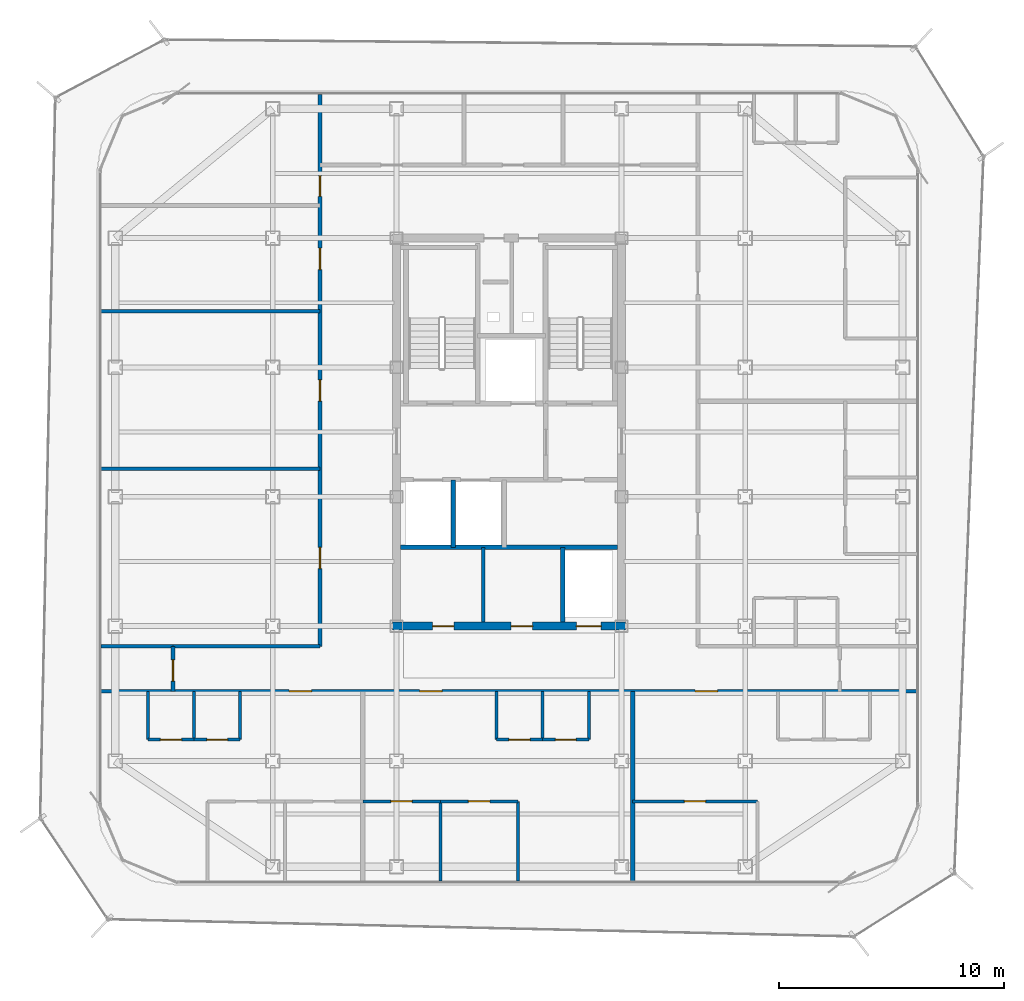
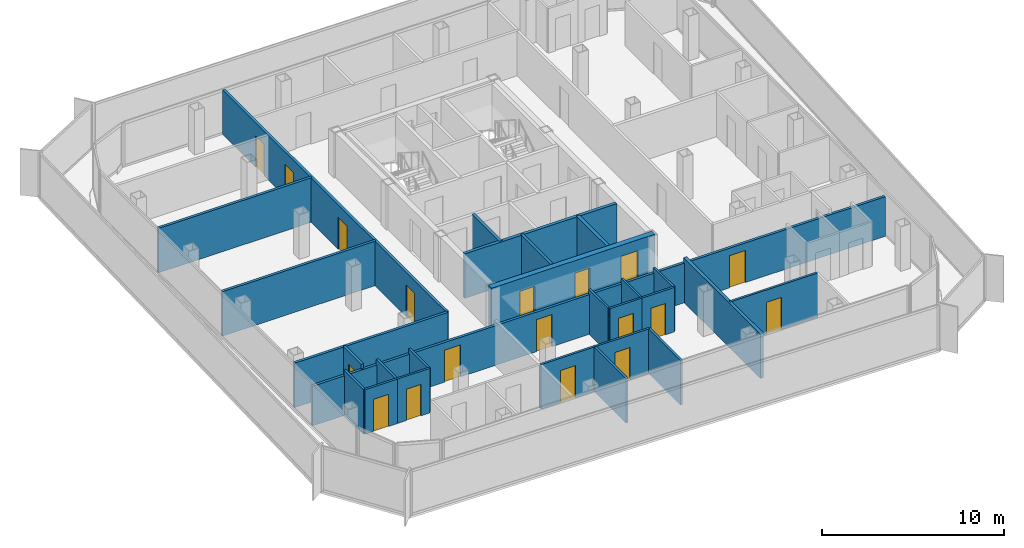
# One storey, part 10 of 15: 28 walls, 18 doors, 18 openings.
"""IFC4 building model written with IfcOpenShell, lengths in metres."""

from ifc_helpers import new_model, si_unit, direction, frame, frame_2d, origin, place, context, subcontext, project, spatial, rectangle, extrude, material, layer, layer_set, type_object, element, fill, save


model = new_model("IFC4")

# Units and contexts
model_context = context("Model", 3, precision=1e-05, world=origin(), true_north=direction((0.0, 1.0)))
body_context = subcontext(model_context, "Body", "Model", "MODEL_VIEW")
ifc_project = project(units=[si_unit("LENGTHUNIT", "METRE"), si_unit("AREAUNIT", "SQUARE_METRE"), si_unit("VOLUMEUNIT", "CUBIC_METRE"), si_unit("PLANEANGLEUNIT", "RADIAN"), si_unit("MASSUNIT", "GRAM", prefix="KILO")], contexts=[model_context])

# Site, building, storey
site_placement = place(None, origin())
site = spatial("IfcSite", under=ifc_project, at=site_placement, CompositionType="ELEMENT")
building_placement = place(site_placement, origin())
building = spatial("IfcBuilding", under=site, at=building_placement, Name="Kolveth Station Tower", CompositionType="ELEMENT")
storey_placement = place(building_placement, frame((0.0, 0.0, 255.300048828125)))
storey = spatial("IfcBuildingStorey", under=building, at=storey_placement, Name="L73", CompositionType="ELEMENT", Elevation=255.300048828125)

# Wall, openings, doors
ifc_material_1 = material(Name="Concrete C50/60", Category="concrete")
ifc_layer_1 = layer(ifc_material_1, 0.35009765625)
ifc_layer_set_1 = layer_set([ifc_layer_1], Name="Concrete C50/60")
wall_type_1 = type_object("IfcWallType", Name="Wall_CW-350", PredefinedType="SHEAR", material=ifc_layer_set_1)
wall_1_placement = place(storey_placement, frame((18.324951171875, 11.5, 0.0), z_axis=(0.0, 0.0, 1.0), x_axis=(1.0, 0.0, 0.0)))
wall_1 = element("IfcWall", 1, at=wall_1_placement, inside=storey, type_object=wall_type_1, Name="L73 Core RC Shear Wall S", PredefinedType="SHEAR", context=body_context, shape_type="SweptSolid", body=[
    extrude(rectangle(XDim=10.35009765625, YDim=0.35009765625, at=frame_2d((5.175048828125, 0.0))), origin(), (0.0, 0.0, 1.0), 2.97998046875),
])
opening_1_placement = place(wall_1_placement, frame((1.77490234375, 0.0, 0.0)))
opening_1 = element("IfcOpeningElement", 2, at=opening_1_placement, cuts=wall_1, Name="Opening ID1", PredefinedType="OPENING", context=body_context, shape_type="SweptSolid", body=[
    extrude(rectangle(XDim=0.949951171875, YDim=2.14990234375, at=frame_2d((0.47509765625, 1.074951171875))), frame((0.0, 0.18505859375, 0.0), z_axis=(0.0, -1.0, 0.0), x_axis=(1.0, 0.0, 0.0)), (0.0, 0.0, 1.0), 0.3701171875),
])
opening_2_placement = place(wall_1_placement, frame((5.27490234375, 0.0, 0.0)))
opening_2 = element("IfcOpeningElement", 3, at=opening_2_placement, cuts=wall_1, Name="Opening ID1", PredefinedType="OPENING", context=body_context, shape_type="SweptSolid", body=[
    extrude(rectangle(XDim=0.949951171875, YDim=2.14990234375, at=frame_2d((0.47509765625, 1.074951171875))), frame((0.0, 0.18505859375, 0.0), z_axis=(0.0, -1.0, 0.0), x_axis=(1.0, 0.0, 0.0)), (0.0, 0.0, 1.0), 0.3701171875),
])
opening_3_placement = place(wall_1_placement, frame((8.175048828125, 0.0, 0.0)))
opening_3 = element("IfcOpeningElement", 4, at=opening_3_placement, cuts=wall_1, Name="Opening LD1", PredefinedType="OPENING", context=body_context, shape_type="SweptSolid", body=[
    extrude(rectangle(XDim=1.10009765625, YDim=2.25, at=frame_2d((0.550048828125, 1.125))), frame((0.0, 0.18505859375, 0.0), z_axis=(0.0, -1.0, 0.0), x_axis=(1.0, 0.0, 0.0)), (0.0, 0.0, 1.0), 0.3701171875),
])
ifc_material_2 = material(Name="Acoustic hardwood leaf and aluminium frame", Category="wood")
door_type_1 = type_object("IfcDoorType", Name="Door_ID1", OperationType="NOTDEFINED", PredefinedType="DOOR", material=ifc_material_2)
door_1_placement = place(opening_1_placement, frame((0.949951171875, 0.0, 0.0), z_axis=(0.0, 0.0, 1.0), x_axis=(-1.0, 0.0, 0.0)))
door_1 = element("IfcDoor", 5, at=door_1_placement, inside=storey, type_object=door_type_1, Name="L73 Laundry Room Door", OperationType="SINGLE_SWING_RIGHT", OverallHeight=2.14990234375, OverallWidth=0.949951171875, PredefinedType="DOOR", context=body_context, shape_type="SweptSolid", body=[
    extrude(rectangle(XDim=0.949951171875, YDim=2.14990234375, at=frame_2d((0.47509765625, 1.074951171875))), frame((0.0, 0.02490234375, 0.0), z_axis=(0.0, -1.0, 0.0), x_axis=(1.0, 0.0, 0.0)), (0.0, 0.0, 1.0), 0.050048828125),
])
fill(opening_1, door_1)
door_2_placement = place(opening_2_placement, frame((0.949951171875, 0.0, 0.0), z_axis=(0.0, 0.0, 1.0), x_axis=(-1.0, 0.0, 0.0)))
door_2 = element("IfcDoor", 6, at=door_2_placement, inside=storey, type_object=door_type_1, Name="L73 Parcel Room Door", OperationType="SINGLE_SWING_LEFT", OverallHeight=2.14990234375, OverallWidth=0.949951171875, PredefinedType="DOOR", context=body_context, shape_type="SweptSolid", body=[
    extrude(rectangle(XDim=0.949951171875, YDim=2.14990234375, at=frame_2d((0.47509765625, 1.074951171875))), frame((0.0, 0.02490234375, 0.0), z_axis=(0.0, -1.0, 0.0), x_axis=(1.0, 0.0, 0.0)), (0.0, 0.0, 1.0), 0.050048828125),
])
fill(opening_2, door_2)
ifc_material_3 = material(Name="Brushed stainless steel sliding landing doors", Category="steel")
door_type_2 = type_object("IfcDoorType", Name="Door_LD1", OperationType="NOTDEFINED", PredefinedType="DOOR", material=ifc_material_3)
door_3_placement = place(opening_3_placement, frame((1.10009765625, 0.0, 0.0), z_axis=(0.0, 0.0, 1.0), x_axis=(-1.0, 0.0, 0.0)))
door_3 = element("IfcDoor", 7, at=door_3_placement, inside=storey, type_object=door_type_2, Name="L73 Lift PH1 Landing Door", OperationType="DOUBLE_DOOR_SLIDING", OverallHeight=2.25, OverallWidth=1.10009765625, PredefinedType="DOOR", context=body_context, shape_type="SweptSolid", body=[
    extrude(rectangle(XDim=1.10009765625, YDim=2.25, at=frame_2d((0.550048828125, 1.125))), frame((0.0, 0.02490234375, 0.0), z_axis=(0.0, -1.0, 0.0), x_axis=(1.0, 0.0, 0.0)), (0.0, 0.0, 1.0), 0.050048828125),
])
fill(opening_3, door_3)

# Wall, opening, door
ifc_material_4 = material(Name="Moisture-resistant gypsum partition")
ifc_layer_2 = layer(ifc_material_4, 0.135009765625)
ifc_layer_set_2 = layer_set([ifc_layer_2], Name="Moisture-resistant gypsum partition")
wall_type_2 = type_object("IfcWallType", Name="Wall_IW-135", PredefinedType="PARTITIONING", material=ifc_layer_set_2)
wall_2_placement = place(storey_placement, frame((7.449951171875, 6.449951171875, 0.0), z_axis=(0.0, 0.0, 1.0), x_axis=(1.0, 0.0, 0.0)))
wall_2 = element("IfcWall", 8, at=wall_2_placement, inside=storey, type_object=wall_type_2, Name="L73 Partition Wall WL-L73-A1-IBHK", PredefinedType="PARTITIONING", context=body_context, shape_type="SweptSolid", body=[
    extrude(rectangle(XDim=2.050048828125, YDim=0.135009765625, at=frame_2d((1.02490234375, 0.0))), origin(), (0.0, 0.0, 1.0), 2.97998046875),
])
opening_4_placement = place(wall_2_placement, frame((0.544921875, 0.0, 0.0)))
opening_4 = element("IfcOpeningElement", 9, at=opening_4_placement, cuts=wall_2, Name="Opening ID1", PredefinedType="OPENING", context=body_context, shape_type="SweptSolid", body=[
    extrude(rectangle(XDim=0.949951171875, YDim=2.14990234375, at=frame_2d((0.47509765625, 1.074951171875))), frame((0.0, 0.077392578125, 0.0), z_axis=(0.0, -1.0, 0.0), x_axis=(1.0, 0.0, 0.0)), (0.0, 0.0, 1.0), 0.155029296875),
])
door_4_placement = place(opening_4_placement, origin())
door_4 = element("IfcDoor", 10, at=door_4_placement, inside=storey, type_object=door_type_1, Name="Flat L73-A1 Kitchen Door", OperationType="SINGLE_SWING_RIGHT", OverallHeight=2.14990234375, OverallWidth=0.949951171875, PredefinedType="DOOR", context=body_context, shape_type="SweptSolid", body=[
    extrude(rectangle(XDim=0.949951171875, YDim=2.14990234375, at=frame_2d((0.47509765625, 1.074951171875))), frame((0.0, 0.02490234375, 0.0), z_axis=(0.0, -1.0, 0.0), x_axis=(1.0, 0.0, 0.0)), (0.0, 0.0, 1.0), 0.050048828125),
])
fill(opening_4, door_4)

wall_3_placement = place(storey_placement, frame((9.5, 6.449951171875, 0.0), z_axis=(0.0, 0.0, 1.0), x_axis=(1.0, 0.0, 0.0)))
wall_3 = element("IfcWall", 11, at=wall_3_placement, inside=storey, type_object=wall_type_2, Name="L73 Partition Wall WL-L73-A1-IBHB", PredefinedType="PARTITIONING", context=body_context, shape_type="SweptSolid", body=[
    extrude(rectangle(XDim=2.050048828125, YDim=0.135009765625, at=frame_2d((1.02490234375, 0.0))), origin(), (0.0, 0.0, 1.0), 2.97998046875),
])
opening_5_placement = place(wall_3_placement, frame((0.56494140625, 0.0, 0.0)))
opening_5 = element("IfcOpeningElement", 12, at=opening_5_placement, cuts=wall_3, Name="Opening ID2", PredefinedType="OPENING", context=body_context, shape_type="SweptSolid", body=[
    extrude(rectangle(XDim=0.919921875, YDim=2.10009765625, at=frame_2d((0.4599609375, 1.050048828125))), frame((0.0, 0.077392578125, 0.0), z_axis=(0.0, -1.0, 0.0), x_axis=(1.0, 0.0, 0.0)), (0.0, 0.0, 1.0), 0.155029296875),
])
ifc_material_5 = material(Name="Moisture-resistant hardwood leaf", Category="wood")
door_type_3 = type_object("IfcDoorType", Name="Door_ID2", OperationType="NOTDEFINED", PredefinedType="DOOR", material=ifc_material_5)
door_5_placement = place(opening_5_placement, origin())
door_5 = element("IfcDoor", 13, at=door_5_placement, inside=storey, type_object=door_type_3, Name="Flat L73-A1 Bathroom Door", OperationType="SINGLE_SWING_LEFT", OverallHeight=2.10009765625, OverallWidth=0.919921875, PredefinedType="DOOR", context=body_context, shape_type="SweptSolid", body=[
    extrude(rectangle(XDim=0.919921875, YDim=2.10009765625, at=frame_2d((0.4599609375, 1.050048828125))), frame((0.0, 0.02490234375, 0.0), z_axis=(0.0, -1.0, 0.0), x_axis=(1.0, 0.0, 0.0)), (0.0, 0.0, 1.0), 0.050048828125),
])
fill(opening_5, door_5)

# Walls
for number, where, z_axis, x_axis, name in (
    (14, (7.449951171875, 6.449951171875, 0.0), (0.0, 0.0, 1.0), (0.0, 1.0, 0.0), "L73 Partition Wall WL-L73-A1-IBV0"),
    (15, (9.5, 6.449951171875, 0.0), (0.0, 0.0, 1.0), (0.0, 1.0, 0.0), "L73 Partition Wall WL-L73-A1-IBV1"),
    (16, (11.550048828125, 6.449951171875, 0.0), (0.0, 0.0, 1.0), (0.0, 1.0, 0.0), "L73 Partition Wall WL-L73-A1-IBV2"),
):
    element("IfcWall", number, at=place(storey_placement, frame(where, z_axis=z_axis, x_axis=x_axis)), inside=storey, type_object=wall_type_2, Name=name, PredefinedType="PARTITIONING", context=body_context, shape_type="SweptSolid", body=[
        extrude(rectangle(XDim=2.150146484375, YDim=0.135009765625, at=frame_2d((1.0751953125, 0.0))), origin(), (0.0, 0.0, 1.0), 2.97998046875),
    ])

# Wall, opening, door
wall_4_placement = place(storey_placement, frame((22.949951171875, 6.449951171875, 0.0), z_axis=(0.0, 0.0, 1.0), x_axis=(1.0, 0.0, 0.0)))
wall_4 = element("IfcWall", 17, at=wall_4_placement, inside=storey, type_object=wall_type_2, Name="L73 Partition Wall WL-L73-A2-IBHK", PredefinedType="PARTITIONING", context=body_context, shape_type="SweptSolid", body=[
    extrude(rectangle(XDim=2.050048828125, YDim=0.135009765625, at=frame_2d((1.02490234375, 0.0))), origin(), (0.0, 0.0, 1.0), 2.97998046875),
])
opening_6_placement = place(wall_4_placement, frame((0.544921875, 0.0, 0.0)))
opening_6 = element("IfcOpeningElement", 18, at=opening_6_placement, cuts=wall_4, Name="Opening ID1", PredefinedType="OPENING", context=body_context, shape_type="SweptSolid", body=[
    extrude(rectangle(XDim=0.949951171875, YDim=2.14990234375, at=frame_2d((0.47509765625, 1.074951171875))), frame((0.0, 0.077392578125, 0.0), z_axis=(0.0, -1.0, 0.0), x_axis=(1.0, 0.0, 0.0)), (0.0, 0.0, 1.0), 0.155029296875),
])
door_6_placement = place(opening_6_placement, origin())
door_6 = element("IfcDoor", 19, at=door_6_placement, inside=storey, type_object=door_type_1, Name="Flat L73-A2 Kitchen Door", OperationType="SINGLE_SWING_LEFT", OverallHeight=2.14990234375, OverallWidth=0.949951171875, PredefinedType="DOOR", context=body_context, shape_type="SweptSolid", body=[
    extrude(rectangle(XDim=0.949951171875, YDim=2.14990234375, at=frame_2d((0.47509765625, 1.074951171875))), frame((0.0, 0.02490234375, 0.0), z_axis=(0.0, -1.0, 0.0), x_axis=(1.0, 0.0, 0.0)), (0.0, 0.0, 1.0), 0.050048828125),
])
fill(opening_6, door_6)

wall_5_placement = place(storey_placement, frame((25.0, 6.449951171875, 0.0), z_axis=(0.0, 0.0, 1.0), x_axis=(1.0, 0.0, 0.0)))
wall_5 = element("IfcWall", 20, at=wall_5_placement, inside=storey, type_object=wall_type_2, Name="L73 Partition Wall WL-L73-A2-IBHB", PredefinedType="PARTITIONING", context=body_context, shape_type="SweptSolid", body=[
    extrude(rectangle(XDim=2.050048828125, YDim=0.135009765625, at=frame_2d((1.02490234375, 0.0))), origin(), (0.0, 0.0, 1.0), 2.97998046875),
])
opening_7_placement = place(wall_5_placement, frame((0.56494140625, 0.0, 0.0)))
opening_7 = element("IfcOpeningElement", 21, at=opening_7_placement, cuts=wall_5, Name="Opening ID2", PredefinedType="OPENING", context=body_context, shape_type="SweptSolid", body=[
    extrude(rectangle(XDim=0.919921875, YDim=2.10009765625, at=frame_2d((0.4599609375, 1.050048828125))), frame((0.0, 0.077392578125, 0.0), z_axis=(0.0, -1.0, 0.0), x_axis=(1.0, 0.0, 0.0)), (0.0, 0.0, 1.0), 0.155029296875),
])
door_7_placement = place(opening_7_placement, origin())
door_7 = element("IfcDoor", 22, at=door_7_placement, inside=storey, type_object=door_type_3, Name="Flat L73-A2 Bathroom Door", OperationType="SINGLE_SWING_LEFT", OverallHeight=2.10009765625, OverallWidth=0.919921875, PredefinedType="DOOR", context=body_context, shape_type="SweptSolid", body=[
    extrude(rectangle(XDim=0.919921875, YDim=2.10009765625, at=frame_2d((0.4599609375, 1.050048828125))), frame((0.0, 0.02490234375, 0.0), z_axis=(0.0, -1.0, 0.0), x_axis=(1.0, 0.0, 0.0)), (0.0, 0.0, 1.0), 0.050048828125),
])
fill(opening_7, door_7)

# Walls
for number, where, z_axis, x_axis, name in (
    (23, (22.949951171875, 6.449951171875, 0.0), (0.0, 0.0, 1.0), (0.0, 1.0, 0.0), "L73 Partition Wall WL-L73-A2-IBV0"),
    (24, (25.0, 6.449951171875, 0.0), (0.0, 0.0, 1.0), (0.0, 1.0, 0.0), "L73 Partition Wall WL-L73-A2-IBV1"),
    (25, (27.050048828125, 6.449951171875, 0.0), (0.0, 0.0, 1.0), (0.0, 1.0, 0.0), "L73 Partition Wall WL-L73-A2-IBV2"),
):
    element("IfcWall", number, at=place(storey_placement, frame(where, z_axis=z_axis, x_axis=x_axis)), inside=storey, type_object=wall_type_2, Name=name, PredefinedType="PARTITIONING", context=body_context, shape_type="SweptSolid", body=[
        extrude(rectangle(XDim=2.150146484375, YDim=0.135009765625, at=frame_2d((1.0751953125, 0.0))), origin(), (0.0, 0.0, 1.0), 2.97998046875),
    ])
wall_6_placement = place(storey_placement, frame((23.89990234375, 0.159912109375, 0.0), z_axis=(0.0, 0.0, 1.0), x_axis=(0.0, 1.0, 0.0)))
element("IfcWall", 26, at=wall_6_placement, inside=storey, type_object=wall_type_2, Name="L73 Partition Wall WL-L73-A2-BDVE", PredefinedType="PARTITIONING", context=body_context, shape_type="SweptSolid", body=[
    extrude(rectangle(XDim=3.550048828125, YDim=0.135009765625, at=frame_2d((1.77490234375, 0.0))), origin(), (0.0, 0.0, 1.0), 2.97998046875),
])

# Wall, opening, door
wall_7_placement = place(storey_placement, frame((17.0, 3.7099609375, 0.0), z_axis=(0.0, 0.0, 1.0), x_axis=(1.0, 0.0, 0.0)))
wall_7 = element("IfcWall", 27, at=wall_7_placement, inside=storey, type_object=wall_type_2, Name="L73 Partition Wall WL-L73-A2-BDH1", PredefinedType="PARTITIONING", context=body_context, shape_type="SweptSolid", body=[
    extrude(rectangle(XDim=3.449951171875, YDim=0.135009765625, at=frame_2d((1.72509765625, 0.0))), origin(), (0.0, 0.0, 1.0), 2.97998046875),
])
opening_8_placement = place(wall_7_placement, frame((1.2451171875, 0.0, 0.0)))
opening_8 = element("IfcOpeningElement", 28, at=opening_8_placement, cuts=wall_7, Name="Opening ID1", PredefinedType="OPENING", context=body_context, shape_type="SweptSolid", body=[
    extrude(rectangle(XDim=0.949951171875, YDim=2.14990234375, at=frame_2d((0.47509765625, 1.074951171875))), frame((0.0, 0.077392578125, 0.0), z_axis=(0.0, -1.0, 0.0), x_axis=(1.0, 0.0, 0.0)), (0.0, 0.0, 1.0), 0.155029296875),
])
door_8_placement = place(opening_8_placement, frame((0.949951171875, 0.0, 0.0), z_axis=(0.0, 0.0, 1.0), x_axis=(-1.0, 0.0, 0.0)))
door_8 = element("IfcDoor", 29, at=door_8_placement, inside=storey, type_object=door_type_1, Name="Flat L73-A2 Bedroom 1 Door", OperationType="SINGLE_SWING_LEFT", OverallHeight=2.14990234375, OverallWidth=0.949951171875, PredefinedType="DOOR", context=body_context, shape_type="SweptSolid", body=[
    extrude(rectangle(XDim=0.949951171875, YDim=2.14990234375, at=frame_2d((0.47509765625, 1.074951171875))), frame((0.0, 0.02490234375, 0.0), z_axis=(0.0, -1.0, 0.0), x_axis=(1.0, 0.0, 0.0)), (0.0, 0.0, 1.0), 0.050048828125),
])
fill(opening_8, door_8)

wall_8_placement = place(storey_placement, frame((20.449951171875, 3.7099609375, 0.0), z_axis=(0.0, 0.0, 1.0), x_axis=(1.0, 0.0, 0.0)))
wall_8 = element("IfcWall", 30, at=wall_8_placement, inside=storey, type_object=wall_type_2, Name="L73 Partition Wall WL-L73-A2-BDH2", PredefinedType="PARTITIONING", context=body_context, shape_type="SweptSolid", body=[
    extrude(rectangle(XDim=3.449951171875, YDim=0.135009765625, at=frame_2d((1.72509765625, 0.0))), origin(), (0.0, 0.0, 1.0), 2.97998046875),
])
opening_9_placement = place(wall_8_placement, frame((1.2451171875, 0.0, 0.0)))
opening_9 = element("IfcOpeningElement", 31, at=opening_9_placement, cuts=wall_8, Name="Opening ID1", PredefinedType="OPENING", context=body_context, shape_type="SweptSolid", body=[
    extrude(rectangle(XDim=0.949951171875, YDim=2.14990234375, at=frame_2d((0.47509765625, 1.074951171875))), frame((0.0, 0.077392578125, 0.0), z_axis=(0.0, -1.0, 0.0), x_axis=(1.0, 0.0, 0.0)), (0.0, 0.0, 1.0), 0.155029296875),
])
door_9_placement = place(opening_9_placement, frame((0.949951171875, 0.0, 0.0), z_axis=(0.0, 0.0, 1.0), x_axis=(-1.0, 0.0, 0.0)))
door_9 = element("IfcDoor", 32, at=door_9_placement, inside=storey, type_object=door_type_1, Name="Flat L73-A2 Bedroom 2 Door", OperationType="SINGLE_SWING_RIGHT", OverallHeight=2.14990234375, OverallWidth=0.949951171875, PredefinedType="DOOR", context=body_context, shape_type="SweptSolid", body=[
    extrude(rectangle(XDim=0.949951171875, YDim=2.14990234375, at=frame_2d((0.47509765625, 1.074951171875))), frame((0.0, 0.02490234375, 0.0), z_axis=(0.0, -1.0, 0.0), x_axis=(1.0, 0.0, 0.0)), (0.0, 0.0, 1.0), 0.050048828125),
])
fill(opening_9, door_9)

# Wall
wall_9_placement = place(storey_placement, frame((20.449951171875, 0.159912109375, 0.0), z_axis=(0.0, 0.0, 1.0), x_axis=(0.0, 1.0, 0.0)))
element("IfcWall", 33, at=wall_9_placement, inside=storey, type_object=wall_type_2, Name="L73 Partition Wall WL-L73-A2-BDV1", PredefinedType="PARTITIONING", context=body_context, shape_type="SweptSolid", body=[
    extrude(rectangle(XDim=3.550048828125, YDim=0.135009765625, at=frame_2d((1.77490234375, 0.0))), origin(), (0.0, 0.0, 1.0), 2.97998046875),
])

# Wall, opening, door
wall_10_placement = place(storey_placement, frame((29.0, 3.7099609375, 0.0), z_axis=(0.0, 0.0, 1.0), x_axis=(1.0, 0.0, 0.0)))
wall_10 = element("IfcWall", 34, at=wall_10_placement, inside=storey, type_object=wall_type_2, Name="L73 Partition Wall WL-L73-A3-BDH1", PredefinedType="PARTITIONING", context=body_context, shape_type="SweptSolid", body=[
    extrude(rectangle(XDim=5.549072265625, YDim=0.135009765625, at=frame_2d((2.7744140625, 0.0))), origin(), (0.0, 0.0, 1.0), 2.97998046875),
])
opening_10_placement = place(wall_10_placement, frame((2.2939453125, 0.0, 0.0)))
opening_10 = element("IfcOpeningElement", 35, at=opening_10_placement, cuts=wall_10, Name="Opening ID1", PredefinedType="OPENING", context=body_context, shape_type="SweptSolid", body=[
    extrude(rectangle(XDim=0.949951171875, YDim=2.14990234375, at=frame_2d((0.47509765625, 1.074951171875))), frame((0.0, 0.077392578125, 0.0), z_axis=(0.0, -1.0, 0.0), x_axis=(1.0, 0.0, 0.0)), (0.0, 0.0, 1.0), 0.155029296875),
])
door_10_placement = place(opening_10_placement, frame((0.949951171875, 0.0, 0.0), z_axis=(0.0, 0.0, 1.0), x_axis=(-1.0, 0.0, 0.0)))
door_10 = element("IfcDoor", 36, at=door_10_placement, inside=storey, type_object=door_type_1, Name="Penthouse Flat L73-A3 Bedroom 1 Door", OperationType="SINGLE_SWING_RIGHT", OverallHeight=2.14990234375, OverallWidth=0.949951171875, PredefinedType="DOOR", context=body_context, shape_type="SweptSolid", body=[
    extrude(rectangle(XDim=0.949951171875, YDim=2.14990234375, at=frame_2d((0.47509765625, 1.074951171875))), frame((0.0, 0.02490234375, 0.0), z_axis=(0.0, -1.0, 0.0), x_axis=(1.0, 0.0, 0.0)), (0.0, 0.0, 1.0), 0.050048828125),
])
fill(opening_10, door_10)

# Wall
ifc_material_6 = material(Name="Acoustic double-stud gypsum partition")
ifc_layer_3 = layer(ifc_material_6, 0.1650390625)
ifc_layer_set_3 = layer_set([ifc_layer_3], Name="Acoustic double-stud gypsum partition")
wall_type_3 = type_object("IfcWallType", Name="Wall_IW-165", PredefinedType="PARTITIONING", material=ifc_layer_set_3)
wall_11_placement = place(storey_placement, frame((22.35009765625, 11.68505859375, 0.0), z_axis=(0.0, 0.0, 1.0), x_axis=(0.0, 1.0, 0.0)))
element("IfcWall", 37, at=wall_11_placement, inside=storey, type_object=wall_type_3, Name="L73 Partition Wall WL-L73-FR-M", PredefinedType="PARTITIONING", context=body_context, shape_type="SweptSolid", body=[
    extrude(rectangle(XDim=3.31494140625, YDim=0.1650390625, at=frame_2d((1.657470703125, 0.0))), origin(), (0.0, 0.0, 1.0), 2.97998046875),
])

# Wall, openings, doors
wall_12_placement = place(storey_placement, frame((5.360107421875, 8.60009765625, 0.0), z_axis=(0.0, 0.0, 1.0), x_axis=(1.0, 0.0, 0.0)))
wall_12 = element("IfcWall", 38, at=wall_12_placement, inside=storey, type_object=wall_type_3, Name="L73 Partition Wall WL-L73-RS", PredefinedType="PARTITIONING", context=body_context, shape_type="SweptSolid", body=[
    extrude(rectangle(XDim=36.27978515625, YDim=0.1650390625, at=frame_2d((18.139892578125, 0.0))), origin(), (0.0, 0.0, 1.0), 2.655029296875),
])
opening_11_placement = place(wall_12_placement, frame((8.364990234375, 0.0, 0.0)))
opening_11 = element("IfcOpeningElement", 39, at=opening_11_placement, cuts=wall_12, Name="Opening FD3", PredefinedType="OPENING", context=body_context, shape_type="SweptSolid", body=[
    extrude(rectangle(XDim=1.0, YDim=2.14990234375, at=frame_2d((0.5, 1.074951171875))), frame((0.0, 0.092529296875, 0.0), z_axis=(0.0, -1.0, 0.0), x_axis=(1.0, 0.0, 0.0)), (0.0, 0.0, 1.0), 0.18505859375),
])
opening_12_placement = place(wall_12_placement, frame((14.1650390625, 0.0, 0.0)))
opening_12 = element("IfcOpeningElement", 40, at=opening_12_placement, cuts=wall_12, Name="Opening FD3", PredefinedType="OPENING", context=body_context, shape_type="SweptSolid", body=[
    extrude(rectangle(XDim=1.0, YDim=2.14990234375, at=frame_2d((0.5, 1.074951171875))), frame((0.0, 0.092529296875, 0.0), z_axis=(0.0, -1.0, 0.0), x_axis=(1.0, 0.0, 0.0)), (0.0, 0.0, 1.0), 0.18505859375),
])
opening_13_placement = place(wall_12_placement, frame((26.4150390625, 0.0, 0.0)))
opening_13 = element("IfcOpeningElement", 41, at=opening_13_placement, cuts=wall_12, Name="Opening FD3", PredefinedType="OPENING", context=body_context, shape_type="SweptSolid", body=[
    extrude(rectangle(XDim=1.0, YDim=2.14990234375, at=frame_2d((0.5, 1.074951171875))), frame((0.0, 0.092529296875, 0.0), z_axis=(0.0, -1.0, 0.0), x_axis=(1.0, 0.0, 0.0)), (0.0, 0.0, 1.0), 0.18505859375),
])
ifc_material_7 = material(Name="Fire-rated hardwood leaf and aluminium frame", Category="wood")
door_type_4 = type_object("IfcDoorType", Name="Door_FD3", OperationType="NOTDEFINED", PredefinedType="DOOR", material=ifc_material_7)
door_11_placement = place(opening_11_placement, frame((1.0, 0.0, 0.0), z_axis=(0.0, 0.0, 1.0), x_axis=(-1.0, 0.0, 0.0)))
door_11 = element("IfcDoor", 42, at=door_11_placement, inside=storey, type_object=door_type_4, Name="Flat L73-A1 Entrance Door", OperationType="SINGLE_SWING_RIGHT", OverallHeight=2.14990234375, OverallWidth=1.0, PredefinedType="DOOR", context=body_context, shape_type="SweptSolid", body=[
    extrude(rectangle(XDim=1.0, YDim=2.14990234375, at=frame_2d((0.5, 1.074951171875))), frame((0.0, 0.02490234375, 0.0), z_axis=(0.0, -1.0, 0.0), x_axis=(1.0, 0.0, 0.0)), (0.0, 0.0, 1.0), 0.050048828125),
])
fill(opening_11, door_11)
door_12_placement = place(opening_12_placement, frame((1.0, 0.0, 0.0), z_axis=(0.0, 0.0, 1.0), x_axis=(-1.0, 0.0, 0.0)))
door_12 = element("IfcDoor", 43, at=door_12_placement, inside=storey, type_object=door_type_4, Name="Flat L73-A2 Entrance Door", OperationType="SINGLE_SWING_LEFT", OverallHeight=2.14990234375, OverallWidth=1.0, PredefinedType="DOOR", context=body_context, shape_type="SweptSolid", body=[
    extrude(rectangle(XDim=1.0, YDim=2.14990234375, at=frame_2d((0.5, 1.074951171875))), frame((0.0, 0.02490234375, 0.0), z_axis=(0.0, -1.0, 0.0), x_axis=(1.0, 0.0, 0.0)), (0.0, 0.0, 1.0), 0.050048828125),
])
fill(opening_12, door_12)
door_13_placement = place(opening_13_placement, frame((1.0, 0.0, 0.0), z_axis=(0.0, 0.0, 1.0), x_axis=(-1.0, 0.0, 0.0)))
door_13 = element("IfcDoor", 44, at=door_13_placement, inside=storey, type_object=door_type_4, Name="Penthouse Flat L73-A3 Entrance Door", OperationType="SINGLE_SWING_LEFT", OverallHeight=2.14990234375, OverallWidth=1.0, PredefinedType="DOOR", context=body_context, shape_type="SweptSolid", body=[
    extrude(rectangle(XDim=1.0, YDim=2.14990234375, at=frame_2d((0.5, 1.074951171875))), frame((0.0, 0.02490234375, 0.0), z_axis=(0.0, -1.0, 0.0), x_axis=(1.0, 0.0, 0.0)), (0.0, 0.0, 1.0), 0.050048828125),
])
fill(opening_13, door_13)

# Wall
wall_13_placement = place(storey_placement, frame((8.56005859375, 10.60009765625, 0.0), z_axis=(0.0, 0.0, 1.0), x_axis=(1.0, 0.0, 0.0)))
element("IfcWall", 45, at=wall_13_placement, inside=storey, type_object=wall_type_3, Name="L73 Partition Wall WL-L73-RSWT", PredefinedType="PARTITIONING", context=body_context, shape_type="SweptSolid", body=[
    extrude(rectangle(XDim=6.5400390625, YDim=0.1650390625, at=frame_2d((3.27001953125, 0.0))), origin(), (0.0, 0.0, 1.0), 2.97998046875),
])

# Wall, opening, door
wall_14_placement = place(storey_placement, frame((8.56005859375, 8.60009765625, 0.0), z_axis=(0.0, 0.0, 1.0), x_axis=(0.0, 1.0, 0.0)))
wall_14 = element("IfcWall", 46, at=wall_14_placement, inside=storey, type_object=wall_type_3, Name="L73 Partition Wall WL-L73-RSWE", PredefinedType="PARTITIONING", context=body_context, shape_type="SweptSolid", body=[
    extrude(rectangle(XDim=2.0, YDim=0.1650390625, at=frame_2d((1.0, 0.0))), origin(), (0.0, 0.0, 1.0), 2.97998046875),
])
opening_14_placement = place(wall_14_placement, frame((0.449951171875, 0.0, 0.0)))
opening_14 = element("IfcOpeningElement", 47, at=opening_14_placement, cuts=wall_14, Name="Opening ID1", PredefinedType="OPENING", context=body_context, shape_type="SweptSolid", body=[
    extrude(rectangle(XDim=0.949951171875, YDim=2.14990234375, at=frame_2d((0.47509765625, 1.074951171875))), frame((0.0, 0.092529296875, 0.0), z_axis=(0.0, -1.0, 0.0), x_axis=(1.0, 0.0, 0.0)), (0.0, 0.0, 1.0), 0.18505859375),
])
door_14_placement = place(opening_14_placement, frame((0.949951171875, 0.0, 0.0), z_axis=(0.0, 0.0, 1.0), x_axis=(-1.0, 0.0, 0.0)))
door_14 = element("IfcDoor", 48, at=door_14_placement, inside=storey, type_object=door_type_1, Name="L73 West Store Door", OperationType="SINGLE_SWING_RIGHT", OverallHeight=2.14990234375, OverallWidth=0.949951171875, PredefinedType="DOOR", context=body_context, shape_type="SweptSolid", body=[
    extrude(rectangle(XDim=0.949951171875, YDim=2.14990234375, at=frame_2d((0.47509765625, 1.074951171875))), frame((0.0, 0.02490234375, 0.0), z_axis=(0.0, -1.0, 0.0), x_axis=(1.0, 0.0, 0.0)), (0.0, 0.0, 1.0), 0.050048828125),
])
fill(opening_14, door_14)

# Wall, openings, doors
wall_15_placement = place(storey_placement, frame((15.10009765625, 10.60009765625, 0.0), z_axis=(0.0, 0.0, 1.0), x_axis=(0.0, 1.0, 0.0)))
wall_15 = element("IfcWall", 49, at=wall_15_placement, inside=storey, type_object=wall_type_3, Name="L73 Partition Wall WL-L73-RW", PredefinedType="PARTITIONING", context=body_context, shape_type="SweptSolid", body=[
    extrude(rectangle(XDim=24.539794921875, YDim=0.1650390625, at=frame_2d((12.27001953125, 0.0))), origin(), (0.0, 0.0, 1.0), 2.97998046875),
])
opening_15_placement = place(wall_15_placement, frame((3.449951171875, 0.0, 0.0)))
opening_15 = element("IfcOpeningElement", 50, at=opening_15_placement, cuts=wall_15, Name="Opening ID1", PredefinedType="OPENING", context=body_context, shape_type="SweptSolid", body=[
    extrude(rectangle(XDim=0.949951171875, YDim=2.14990234375, at=frame_2d((0.47509765625, 1.074951171875))), frame((0.0, 0.092529296875, 0.0), z_axis=(0.0, -1.0, 0.0), x_axis=(1.0, 0.0, 0.0)), (0.0, 0.0, 1.0), 0.18505859375),
])
opening_16_placement = place(wall_15_placement, frame((10.89990234375, 0.0, 0.0)))
opening_16 = element("IfcOpeningElement", 51, at=opening_16_placement, cuts=wall_15, Name="Opening ID1", PredefinedType="OPENING", context=body_context, shape_type="SweptSolid", body=[
    extrude(rectangle(XDim=0.949951171875, YDim=2.14990234375, at=frame_2d((0.47509765625, 1.074951171875))), frame((0.0, 0.092529296875, 0.0), z_axis=(0.0, -1.0, 0.0), x_axis=(1.0, 0.0, 0.0)), (0.0, 0.0, 1.0), 0.18505859375),
])
opening_17_placement = place(wall_15_placement, frame((16.75, 0.0, 0.0)))
opening_17 = element("IfcOpeningElement", 52, at=opening_17_placement, cuts=wall_15, Name="Opening ID1", PredefinedType="OPENING", context=body_context, shape_type="SweptSolid", body=[
    extrude(rectangle(XDim=0.949951171875, YDim=2.14990234375, at=frame_2d((0.47509765625, 1.074951171875))), frame((0.0, 0.092529296875, 0.0), z_axis=(0.0, -1.0, 0.0), x_axis=(1.0, 0.0, 0.0)), (0.0, 0.0, 1.0), 0.18505859375),
])
opening_18_placement = place(wall_15_placement, frame((20.0, 0.0, 0.0)))
opening_18 = element("IfcOpeningElement", 53, at=opening_18_placement, cuts=wall_15, Name="Opening ID2", PredefinedType="OPENING", context=body_context, shape_type="SweptSolid", body=[
    extrude(rectangle(XDim=0.919921875, YDim=2.10009765625, at=frame_2d((0.4599609375, 1.050048828125))), frame((0.0, 0.092529296875, 0.0), z_axis=(0.0, -1.0, 0.0), x_axis=(1.0, 0.0, 0.0)), (0.0, 0.0, 1.0), 0.18505859375),
])
door_15_placement = place(opening_15_placement, frame((0.949951171875, 0.0, 0.0), z_axis=(0.0, 0.0, 1.0), x_axis=(-1.0, 0.0, 0.0)))
door_15 = element("IfcDoor", 54, at=door_15_placement, inside=storey, type_object=door_type_1, Name="L73 Wellness Treatment Room 1 Door", OperationType="SINGLE_SWING_LEFT", OverallHeight=2.14990234375, OverallWidth=0.949951171875, PredefinedType="DOOR", context=body_context, shape_type="SweptSolid", body=[
    extrude(rectangle(XDim=0.949951171875, YDim=2.14990234375, at=frame_2d((0.47509765625, 1.074951171875))), frame((0.0, 0.02490234375, 0.0), z_axis=(0.0, -1.0, 0.0), x_axis=(1.0, 0.0, 0.0)), (0.0, 0.0, 1.0), 0.050048828125),
])
fill(opening_15, door_15)
door_16_placement = place(opening_16_placement, frame((0.949951171875, 0.0, 0.0), z_axis=(0.0, 0.0, 1.0), x_axis=(-1.0, 0.0, 0.0)))
door_16 = element("IfcDoor", 55, at=door_16_placement, inside=storey, type_object=door_type_1, Name="L73 Wellness Treatment Room 2 Door", OperationType="SINGLE_SWING_LEFT", OverallHeight=2.14990234375, OverallWidth=0.949951171875, PredefinedType="DOOR", context=body_context, shape_type="SweptSolid", body=[
    extrude(rectangle(XDim=0.949951171875, YDim=2.14990234375, at=frame_2d((0.47509765625, 1.074951171875))), frame((0.0, 0.02490234375, 0.0), z_axis=(0.0, -1.0, 0.0), x_axis=(1.0, 0.0, 0.0)), (0.0, 0.0, 1.0), 0.050048828125),
])
fill(opening_16, door_16)
door_17_placement = place(opening_17_placement, frame((0.949951171875, 0.0, 0.0), z_axis=(0.0, 0.0, 1.0), x_axis=(-1.0, 0.0, 0.0)))
door_17 = element("IfcDoor", 56, at=door_17_placement, inside=storey, type_object=door_type_1, Name="L73 Relaxation Study Door", OperationType="SINGLE_SWING_RIGHT", OverallHeight=2.14990234375, OverallWidth=0.949951171875, PredefinedType="DOOR", context=body_context, shape_type="SweptSolid", body=[
    extrude(rectangle(XDim=0.949951171875, YDim=2.14990234375, at=frame_2d((0.47509765625, 1.074951171875))), frame((0.0, 0.02490234375, 0.0), z_axis=(0.0, -1.0, 0.0), x_axis=(1.0, 0.0, 0.0)), (0.0, 0.0, 1.0), 0.050048828125),
])
fill(opening_17, door_17)
door_18_placement = place(opening_18_placement, frame((0.919921875, 0.0, 0.0), z_axis=(0.0, 0.0, 1.0), x_axis=(-1.0, 0.0, 0.0)))
door_18 = element("IfcDoor", 57, at=door_18_placement, inside=storey, type_object=door_type_3, Name="L73 Accessible Wellness WC Door", OperationType="SINGLE_SWING_LEFT", OverallHeight=2.10009765625, OverallWidth=0.919921875, PredefinedType="DOOR", context=body_context, shape_type="SweptSolid", body=[
    extrude(rectangle(XDim=0.919921875, YDim=2.10009765625, at=frame_2d((0.4599609375, 1.050048828125))), frame((0.0, 0.02490234375, 0.0), z_axis=(0.0, -1.0, 0.0), x_axis=(1.0, 0.0, 0.0)), (0.0, 0.0, 1.0), 0.050048828125),
])
fill(opening_18, door_18)

# Walls
wall_16_placement = place(storey_placement, frame((5.360107421875, 10.60009765625, 0.0), z_axis=(0.0, 0.0, 1.0), x_axis=(1.0, 0.0, 0.0)))
element("IfcWall", 58, at=wall_16_placement, inside=storey, type_object=wall_type_3, Name="L73 Partition Wall WL-L73-WSTN", PredefinedType="PARTITIONING", context=body_context, shape_type="SweptSolid", body=[
    extrude(rectangle(XDim=3.199951171875, YDim=0.1650390625, at=frame_2d((1.60009765625, 0.0))), origin(), (0.0, 0.0, 1.0), 2.97998046875),
])
for number, where, z_axis, x_axis, name in (
    (59, (5.360107421875, 18.5, 0.0), (0.0, 0.0, 1.0), (1.0, 0.0, 0.0), "L73 Partition Wall WL-L73-RWA-P1"),
    (60, (5.360107421875, 25.5, 0.0), (0.0, 0.0, 1.0), (1.0, 0.0, 0.0), "L73 Partition Wall WL-L73-RWA-P2"),
):
    element("IfcWall", number, at=place(storey_placement, frame(where, z_axis=z_axis, x_axis=x_axis)), inside=storey, type_object=wall_type_3, Name=name, PredefinedType="PARTITIONING", context=body_context, shape_type="SweptSolid", body=[
        extrude(rectangle(XDim=9.739990234375, YDim=0.1650390625, at=frame_2d((4.8701171875, 0.0))), origin(), (0.0, 0.0, 1.0), 2.97998046875),
    ])
ifc_material_8 = material(Name="Acoustic fire-rated gypsum blockwork", Category="masonry")
ifc_layer_4 = layer(ifc_material_8, 0.199951171875)
ifc_layer_set_4 = layer_set([ifc_layer_4], Name="Acoustic fire-rated gypsum blockwork")
wall_type_4 = type_object("IfcWallType", Name="Wall_IW-200", PredefinedType="PARTITIONING", material=ifc_layer_set_4)
wall_17_placement = place(storey_placement, frame((21.02001953125, 15.0, 0.0), z_axis=(0.0, 0.0, 1.0), x_axis=(0.0, 1.0, 0.0)))
element("IfcWall", 61, at=wall_17_placement, inside=storey, type_object=wall_type_4, Name="L73 Partition Wall WL-L73-FF12", PredefinedType="PARTITIONING", context=body_context, shape_type="SweptSolid", body=[
    extrude(rectangle(XDim=3.0, YDim=0.199951171875, at=frame_2d((1.5, 0.0))), origin(), (0.0, 0.0, 1.0), 2.97998046875),
])
wall_18_placement = place(storey_placement, frame((18.68505859375, 15.0, 0.0), z_axis=(0.0, 0.0, 1.0), x_axis=(1.0, 0.0, 0.0)))
element("IfcWall", 62, at=wall_18_placement, inside=storey, type_object=wall_type_4, Name="L73 Partition Wall WL-L73-BOH-S", PredefinedType="PARTITIONING", context=body_context, shape_type="SweptSolid", body=[
    extrude(rectangle(XDim=9.6298828125, YDim=0.199951171875, at=frame_2d((4.81494140625, 0.0))), origin(), (0.0, 0.0, 1.0), 2.97998046875),
])
wall_19_placement = place(storey_placement, frame((25.89990234375, 11.68505859375, 0.0), z_axis=(0.0, 0.0, 1.0), x_axis=(0.0, 1.0, 0.0)))
element("IfcWall", 63, at=wall_19_placement, inside=storey, type_object=wall_type_4, Name="L73 Partition Wall WL-L73-PMPH", PredefinedType="PARTITIONING", context=body_context, shape_type="SweptSolid", body=[
    extrude(rectangle(XDim=3.31494140625, YDim=0.199951171875, at=frame_2d((1.657470703125, 0.0))), origin(), (0.0, 0.0, 1.0), 2.97998046875),
])
wall_20_placement = place(storey_placement, frame((29.0, 0.159912109375, 0.0), z_axis=(0.0, 0.0, 1.0), x_axis=(0.0, 1.0, 0.0)))
element("IfcWall", 64, at=wall_20_placement, inside=storey, type_object=wall_type_4, Name="L73 Partition Wall WL-L73-RSU-2", PredefinedType="PARTITIONING", context=body_context, shape_type="SweptSolid", body=[
    extrude(rectangle(XDim=8.440185546875, YDim=0.199951171875, at=frame_2d((4.22021484375, 0.0))), origin(), (0.0, 0.0, 1.0), 2.97998046875),
])

save(model, "model.ifc")
